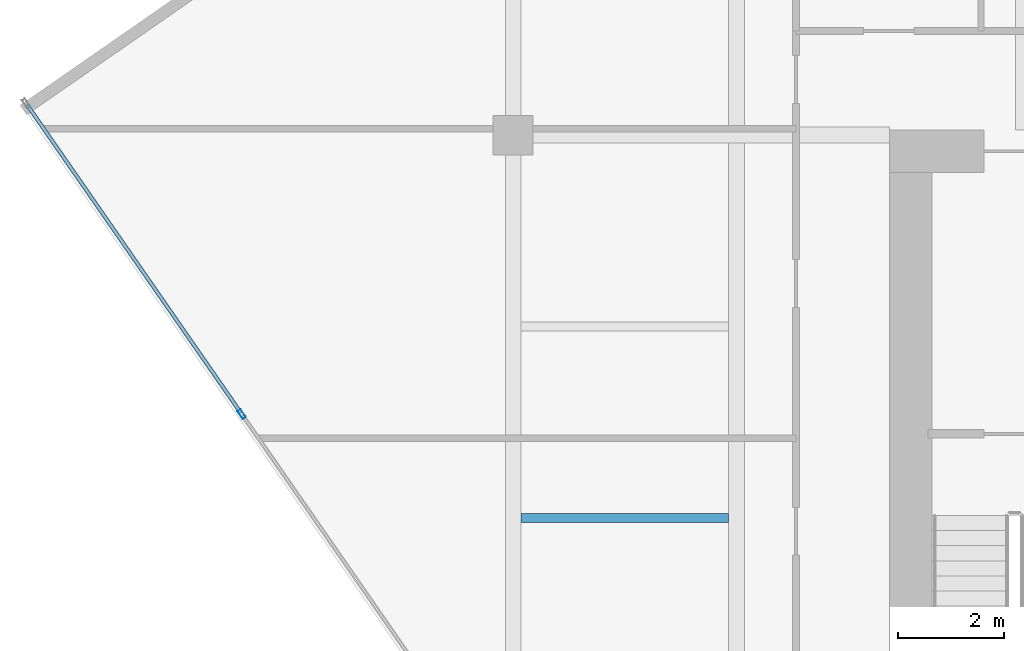
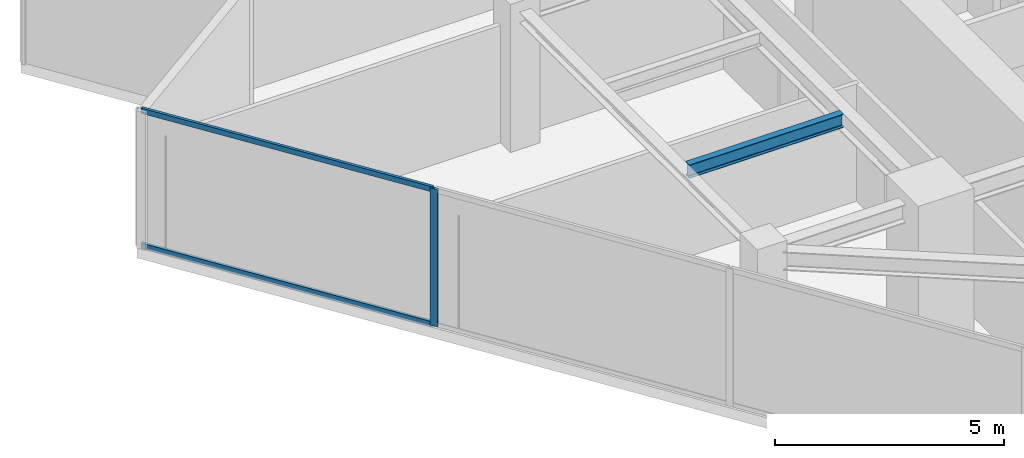
# One storey, part 4 of 21: 3 members, 1 beam, 1 element without a shape of its own.
"""IFC4 building model written with IfcOpenShell, lengths in metres."""

import ifcopenshell
import ifcopenshell.guid

model = None  # the IFC model being written
_history = None  # IfcOwnerHistory: only IFC2X3 demands one
_inside = {}  # id of a spatial element -> (the spatial element, [elements in it])
_under = {}  # id of a project, library or spatial element -> (it, [spatial elements below it])
_declared = {}  # id of a project -> (the project, [libraries it declares])
_typed = {}  # id of a type object -> (the type object, [elements of that type])
_made_of = {}  # id of a material, layer set ... -> (it, [elements and type objects made of it])


def new_model(schema):
    """Start an empty IFC model of exactly this schema.

    Asked for "IFC4X3", IfcOpenShell would pick the latest addendum, in which some entities
    have other attributes; the version numbers below select the first issue.
    IFC2X3 requires an IfcOwnerHistory on every rooted entity: one is made here for all.
    """
    global model, _history
    if schema == "IFC4X3":
        model = ifcopenshell.file(schema_version=(4, 3, 0, 0))
    else:
        model = ifcopenshell.file(schema=schema)
    _inside.clear()
    _under.clear()
    _declared.clear()
    _typed.clear()
    _made_of.clear()
    _history = None
    if model.schema == "IFC2X3":
        org = make("IfcOrganization", Name="unknown")
        user = make(
            "IfcPersonAndOrganization",
            ThePerson=make("IfcPerson", FamilyName="unknown"),
            TheOrganization=org,
        )
        app = make(
            "IfcApplication",
            ApplicationDeveloper=org,
            Version="unknown",
            ApplicationFullName="unknown",
            ApplicationIdentifier="unknown",
        )
        _history = make(
            "IfcOwnerHistory",
            OwningUser=user,
            OwningApplication=app,
            ChangeAction="ADDED",
            CreationDate=0,
        )
    return model


def make(cls, **values):
    """One entity of the class cls with the attributes given. An attribute that is None is left unset."""
    return model.create_entity(
        cls, **{name: value for name, value in values.items() if value is not None}
    )


def rooted(cls, **values):
    """An entity with a GlobalId (a new one), such as an element, a storey or a relation."""
    return make(cls, GlobalId=ifcopenshell.guid.new(), OwnerHistory=_history, **values)


def si_unit(unit_type, name, prefix=None):
    """IfcSIUnit, for example si_unit("LENGTHUNIT", "METRE", prefix="MILLI")."""
    return make("IfcSIUnit", UnitType=unit_type, Prefix=prefix, Name=name)


def assignment(units):
    """IfcUnitAssignment: the units of a project."""
    return None if units is None else make("IfcUnitAssignment", Units=units)


def point(xyz):
    """IfcCartesianPoint."""
    return None if xyz is None else make("IfcCartesianPoint", Coordinates=xyz)


def direction(xyz):
    """IfcDirection."""
    return None if xyz is None else make("IfcDirection", DirectionRatios=xyz)


def frame(location, z_axis=None, x_axis=None):
    """IfcAxis2Placement3D, a coordinate frame: its origin and axes. An axis left out is left unset."""
    return make(
        "IfcAxis2Placement3D",
        Location=point(location),
        Axis=direction(z_axis),
        RefDirection=direction(x_axis),
    )


def frame_2d(location, x_axis=None):
    """IfcAxis2Placement2D, a coordinate frame in the plane: its origin and x axis."""
    return make(
        "IfcAxis2Placement2D", Location=point(location), RefDirection=direction(x_axis)
    )


def origin():
    """The frame at (0, 0, 0) with its axes left unset."""
    return frame((0.0, 0.0, 0.0))


def origin_2d():
    """The frame at (0, 0) in the plane with its x axis left unset."""
    return frame_2d((0.0, 0.0))


def place(relative_to, where):
    """IfcLocalPlacement: puts the frame where relative to a parent placement (None: the world)."""
    return make(
        "IfcLocalPlacement", PlacementRelTo=relative_to, RelativePlacement=where
    )


def context(
    kind, dimensions, precision=None, world=None, true_north=None, identifier=None
):
    """IfcGeometricRepresentationContext, for example the 3D "Model" context."""
    return make(
        "IfcGeometricRepresentationContext",
        ContextIdentifier=identifier,
        ContextType=kind,
        CoordinateSpaceDimension=dimensions,
        Precision=precision,
        WorldCoordinateSystem=world,
        TrueNorth=true_north,
    )


def subcontext(parent, identifier, kind, view, scale=None):
    """IfcGeometricRepresentationSubContext, for example "Body" below "Model"."""
    return make(
        "IfcGeometricRepresentationSubContext",
        ContextIdentifier=identifier,
        ContextType=kind,
        ParentContext=parent,
        TargetScale=scale,
        TargetView=view,
    )


def project(units=None, contexts=None):
    """IfcProject with its units and contexts."""
    return rooted(
        "IfcProject",
        Name="project",
        RepresentationContexts=contexts,
        UnitsInContext=assignment(units),
    )


def spatial(cls, under=None, at=None, **own):
    """A site, building, storey or space (cls), placed at a placement, below another one or the project."""
    s = rooted(cls, ObjectPlacement=at, **own)
    if under is not None:
        _under.setdefault(under.id(), (under, []))[1].append(s)
    return s


def profile(cls, at=None, kind="AREA", **sizes):
    """A parametric profile (cls). Its sizes go by their IFC names, for example OverallWidth=200.0."""
    return make(cls, ProfileType=kind, Position=at, **sizes)


def hollow_rectangle(**sizes):
    """IfcRectangleHollowProfileDef."""
    return profile("IfcRectangleHollowProfileDef", **sizes)


def i_section(**sizes):
    """IfcIShapeProfileDef."""
    return profile("IfcIShapeProfileDef", **sizes)


def extrude(swept, where, along, depth):
    """IfcExtrudedAreaSolid: the profile swept, set in the frame where, extruded along a direction by depth."""
    return make(
        "IfcExtrudedAreaSolid",
        SweptArea=swept,
        Position=where,
        ExtrudedDirection=direction(along),
        Depth=depth,
    )


def shape(context_of_items, identifier, shape_type, items):
    """IfcShapeRepresentation: the items that make up one representation, for example the "Body"."""
    return make(
        "IfcShapeRepresentation",
        ContextOfItems=context_of_items,
        RepresentationIdentifier=identifier,
        RepresentationType=shape_type,
        Items=items,
    )


def source(mapping_origin, context_of_items, identifier, shape_type, items):
    """IfcRepresentationMap: a shape defined once, which mapped items show again and again."""
    return make(
        "IfcRepresentationMap",
        MappingOrigin=mapping_origin,
        MappedRepresentation=shape(context_of_items, identifier, shape_type, items),
    )


def transform(
    local_origin,
    x_axis=None,
    y_axis=None,
    z_axis=None,
    scale=None,
    scale2=None,
    scale3=None,
    uniform=True,
):
    """IfcCartesianTransformationOperator3D, or its non-uniform kind. x_axis, y_axis, z_axis: its Axis1, 2, 3."""
    if uniform:
        return make(
            "IfcCartesianTransformationOperator3D",
            Axis1=direction(x_axis),
            Axis2=direction(y_axis),
            LocalOrigin=point(local_origin),
            Scale=scale,
            Axis3=direction(z_axis),
        )
    return make(
        "IfcCartesianTransformationOperator3DnonUniform",
        Axis1=direction(x_axis),
        Axis2=direction(y_axis),
        LocalOrigin=point(local_origin),
        Scale=scale,
        Axis3=direction(z_axis),
        Scale2=scale2,
        Scale3=scale3,
    )


def mapped(mapping_source, mapping_target):
    """IfcMappedItem: shows the shape of a source again, moved by a transform."""
    return make(
        "IfcMappedItem", MappingSource=mapping_source, MappingTarget=mapping_target
    )


def material(Name=None, Category=None):
    """IfcMaterial."""
    return make("IfcMaterial", Name=Name, Category=Category)


def material_profile(
    of_material, cross_section, Name=None, Category=None, Priority=None
):
    """IfcMaterialProfile: a cross section and its material."""
    return make(
        "IfcMaterialProfile",
        Name=Name,
        Material=of_material,
        Profile=cross_section,
        Priority=Priority,
        Category=Category,
    )


def profile_set(profiles, Name=None, composite=None):
    """IfcMaterialProfileSet."""
    return make(
        "IfcMaterialProfileSet",
        Name=Name,
        MaterialProfiles=profiles,
        CompositeProfile=composite,
    )


def made_of(thing, what):
    """Note that an element or type object is made of a material, layer set ...; save() writes the relation."""
    if what is not None:
        _made_of.setdefault(what.id(), (what, []))[1].append(thing)
    return thing


def type_object(cls, material=None, **own):
    """A type object (cls), such as IfcWallType, which elements share."""
    return made_of(rooted(cls, **own), material)


def type_shapes(of_type, sources):
    """Give a type object the sources (RepresentationMaps) that its elements show as mapped items."""
    of_type.RepresentationMaps = sources


def element(
    cls,
    number,
    at=None,
    inside=None,
    cuts=None,
    type_object=None,
    material=None,
    context=None,
    identifier="Body",
    shape_type=None,
    held_by="IfcProductDefinitionShape",
    body=None,
    shapes=None,
    **own,
):
    """One element of the class cls, such as IfcWall. Its Tag is "e" and its number.

    at: its placement. inside: the storey or other place that contains it. cuts: it is an
    opening in that element (IfcRelVoidsElement). A single representation is given by context,
    identifier, shape_type and body (its items); several are given by shapes. held_by: the class
    of the entity that holds the representations. save() writes the other relations.
    """
    e = rooted(cls, Tag="e%d" % number, ObjectPlacement=at, **own)
    if body is not None:
        shapes = [shape(context, identifier, shape_type, body)]
    if shapes is not None:
        e.Representation = make(held_by, Representations=shapes)
    if inside is not None:
        _inside.setdefault(inside.id(), (inside, []))[1].append(e)
    if cuts is not None:
        rooted(
            "IfcRelVoidsElement", RelatingBuildingElement=cuts, RelatedOpeningElement=e
        )
    if type_object is not None:
        _typed.setdefault(type_object.id(), (type_object, []))[1].append(e)
    return made_of(e, material)


def aggregate(whole, parts):
    """IfcRelAggregates: a whole, such as a stair, and the parts it consists of."""
    return rooted("IfcRelAggregates", RelatingObject=whole, RelatedObjects=parts)


def save(model, path):
    """Write the relations noted so far, then the file.

    IfcRelAggregates (storeys below a building ...), IfcRelContainedInSpatialStructure (elements
    in a storey), IfcRelDefinesByType, IfcRelAssociatesMaterial and IfcRelDeclares: one each for
    every whole, place, type object, material and project.
    """
    for whole, parts in _under.values():
        aggregate(whole, parts)
    for where, things in _inside.values():
        rooted(
            "IfcRelContainedInSpatialStructure",
            RelatedElements=things,
            RelatingStructure=where,
        )
    for kind, things in _typed.values():
        rooted("IfcRelDefinesByType", RelatedObjects=things, RelatingType=kind)
    for what, things in _made_of.values():
        rooted("IfcRelAssociatesMaterial", RelatedObjects=things, RelatingMaterial=what)
    for by, libraries in _declared.values():
        rooted("IfcRelDeclares", RelatingContext=by, RelatedDefinitions=libraries)
    model.write(path)


model = new_model("IFC4")

# Units and contexts
model_context = context("Model", 3, precision=1e-05, world=origin(), true_north=direction((0.0, 1.0)))
body_context = subcontext(model_context, "Body", "Model", "MODEL_VIEW")
ifc_project = project(units=[si_unit("LENGTHUNIT", "METRE"), si_unit("AREAUNIT", "SQUARE_METRE"), si_unit("VOLUMEUNIT", "CUBIC_METRE"), si_unit("PLANEANGLEUNIT", "RADIAN"), si_unit("MASSUNIT", "GRAM", prefix="KILO")], contexts=[model_context])

# Site, building, storey
site_placement = place(None, origin())
site = spatial("IfcSite", under=ifc_project, at=site_placement, CompositionType="ELEMENT")
building_placement = place(site_placement, origin())
building = spatial("IfcBuilding", under=site, at=building_placement, Name="Krantzveldt Concourse Tower", CompositionType="ELEMENT")
storey_placement = place(building_placement, frame((0.0, 0.0, 279.25)))
storey = spatial("IfcBuildingStorey", under=building, at=storey_placement, Name="L68", CompositionType="ELEMENT", Elevation=279.25)

# Beam
ifc_material_1 = material(Name="Steel S355JR", Category="steel")
ifc_material_profile_1 = material_profile(ifc_material_1, i_section(OverallWidth=0.169921875, OverallDepth=0.360107421875, WebThickness=0.008056640625, FlangeThickness=0.0126953125, FilletRadius=0.01806640625, at=origin_2d()), Name="Steel S355JR", Category="steel")
ifc_profile_set_1 = profile_set([ifc_material_profile_1], Name="Steel S355JR - IPE 360")
beam_type = type_object("IfcBeamType", Name="BM-J-IPE360", PredefinedType="JOIST", material=ifc_profile_set_1)
shared_shape_1 = source(origin(), body_context, "Body", "SweptSolid", [
    extrude(i_section(OverallWidth=0.169921875, OverallDepth=0.360107421875, WebThickness=0.008056640625, FlangeThickness=0.0126953125, FilletRadius=0.01806640625, at=origin_2d()), origin(), (0.0, 0.0, 1.0), 3.900146484375),
])
type_shapes(beam_type, [shared_shape_1])
beam_placement = place(storey_placement, frame((21.14990234375, 19.5, 3.489990234375), z_axis=(1.0, 0.0, 0.0), x_axis=(0.0, 1.0, 0.0)))
element("IfcBeam", 1, at=beam_placement, inside=storey, type_object=beam_type, Name="L68 Secondary Floor Joist JW-1", PredefinedType="JOIST", context=body_context, shape_type="MappedRepresentation", body=[
    mapped(shared_shape_1, transform((0.0, 0.0, 0.0), x_axis=(1.0, 0.0, 0.0), y_axis=(0.0, 1.0, 0.0), z_axis=(0.0, 0.0, 1.0), scale=1.0)),
])

# Curtain wall, members
ifc_material_2 = material(Name="Anodised aluminium 6063-T6", Category="aluminium")
curtain_wall_type = type_object("IfcCurtainWallType", Name="CW4", PredefinedType="USERDEFINED", material=ifc_material_2)
curtain_wall_placement = place(storey_placement, origin())
curtain_wall = element("IfcCurtainWall", 2, at=curtain_wall_placement, inside=storey, type_object=curtain_wall_type, Name="CW-L68-F08", ObjectType="UNITISED CURTAIN WALL", PredefinedType="USERDEFINED")
ifc_material_profile_2 = material_profile(ifc_material_2, hollow_rectangle(XDim=0.070068359375, YDim=0.179931640625, WallThickness=0.0048828125, at=origin_2d()), Name="Anodised aluminium 6063-T6", Category="aluminium")
ifc_profile_set_2 = profile_set([ifc_material_profile_2], Name="Anodised aluminium 6063-T6 - ALU-MULL 180x70x5")
member_type_1 = type_object("IfcMemberType", Name="CW-MUL-180", PredefinedType="MULLION", material=ifc_profile_set_2)
shared_shape_2 = source(origin(), body_context, "Body", "SweptSolid", [
    extrude(hollow_rectangle(XDim=0.070068359375, YDim=0.179931640625, WallThickness=0.0048828125, at=origin_2d()), origin(), (0.0, 0.0, 1.0), 3.669921875),
])
type_shapes(member_type_1, [shared_shape_2])
member_1_placement = place(storey_placement, frame((15.894287109375, 21.4541015625, 0.0), z_axis=(0.0, 0.0, 1.0), x_axis=(0.821647031735, 0.569996627395, 0.0)))
member_1 = element("IfcMember", 3, at=member_1_placement, type_object=member_type_1, Name="CW-Z56 mullion 2", PredefinedType="MULLION", context=body_context, shape_type="MappedRepresentation", body=[
    mapped(shared_shape_2, transform((0.0, 0.0, 0.0), x_axis=(1.0, 0.0, 0.0), y_axis=(0.0, 1.0, 0.0), z_axis=(0.0, 0.0, 1.0), scale=1.0)),
])
ifc_material_profile_3 = material_profile(ifc_material_2, hollow_rectangle(XDim=0.070068359375, YDim=0.139892578125, WallThickness=0.0048828125, at=origin_2d()), Name="Anodised aluminium 6063-T6", Category="aluminium")
ifc_profile_set_3 = profile_set([ifc_material_profile_3], Name="Anodised aluminium 6063-T6 - ALU-TRAN 140x70x5")
member_type_2 = type_object("IfcMemberType", Name="CW-TRN-150", PredefinedType="USERDEFINED", material=ifc_profile_set_3)
shared_shape_3 = source(origin(), body_context, "Body", "SweptSolid", [
    extrude(hollow_rectangle(XDim=0.070068359375, YDim=0.139892578125, WallThickness=0.0048828125, at=origin_2d()), origin(), (0.0, 0.0, 1.0), 7.045166015625),
])
type_shapes(member_type_2, [shared_shape_3])
member_2_placement = place(storey_placement, frame((11.858642578125, 27.271484375, 0.034912109375), z_axis=(0.569991796641, -0.821650382926, 0.0), x_axis=(0.821650382926, 0.569991796641, 0.0)))
member_2 = element("IfcMember", 4, at=member_2_placement, type_object=member_type_2, Name="CW-Z56 transom 1.1", ObjectType="TRANSOM", PredefinedType="USERDEFINED", context=body_context, shape_type="MappedRepresentation", body=[
    mapped(shared_shape_3, transform((0.0, 0.0, 0.0), x_axis=(1.0, 0.0, 0.0), y_axis=(0.0, 1.0, 0.0), z_axis=(0.0, 0.0, 1.0), scale=1.0)),
])
member_3_placement = place(storey_placement, frame((11.858642578125, 27.271484375, 3.635009765625), z_axis=(0.569991796641, -0.821650382926, 0.0), x_axis=(0.821650382926, 0.569991796641, 0.0)))
member_3 = element("IfcMember", 5, at=member_3_placement, type_object=member_type_2, Name="CW-Z56 transom 1.2", ObjectType="TRANSOM", PredefinedType="USERDEFINED", context=body_context, shape_type="MappedRepresentation", body=[
    mapped(shared_shape_3, transform((0.0, 0.0, 0.0), x_axis=(1.0, 0.0, 0.0), y_axis=(0.0, 1.0, 0.0), z_axis=(0.0, 0.0, 1.0), scale=1.0)),
])
aggregate(curtain_wall, [member_1, member_2, member_3])

save(model, "model.ifc")
